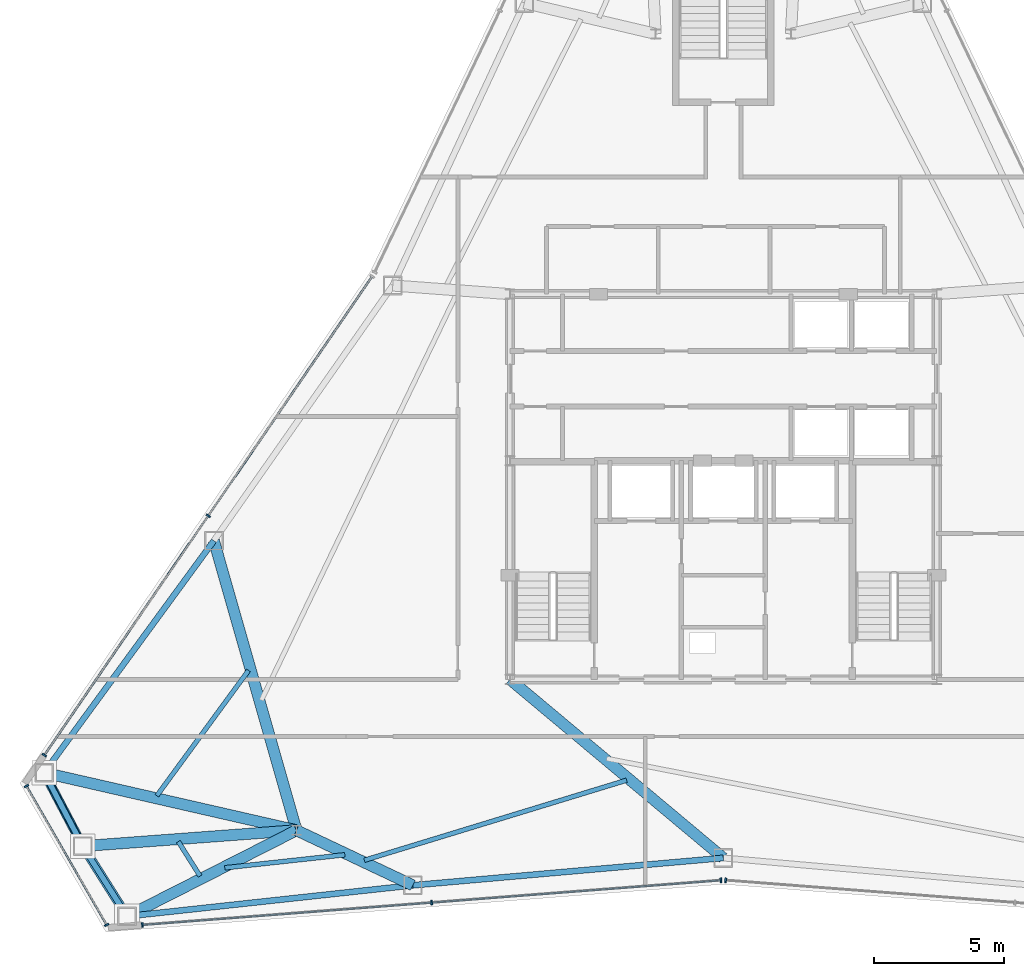
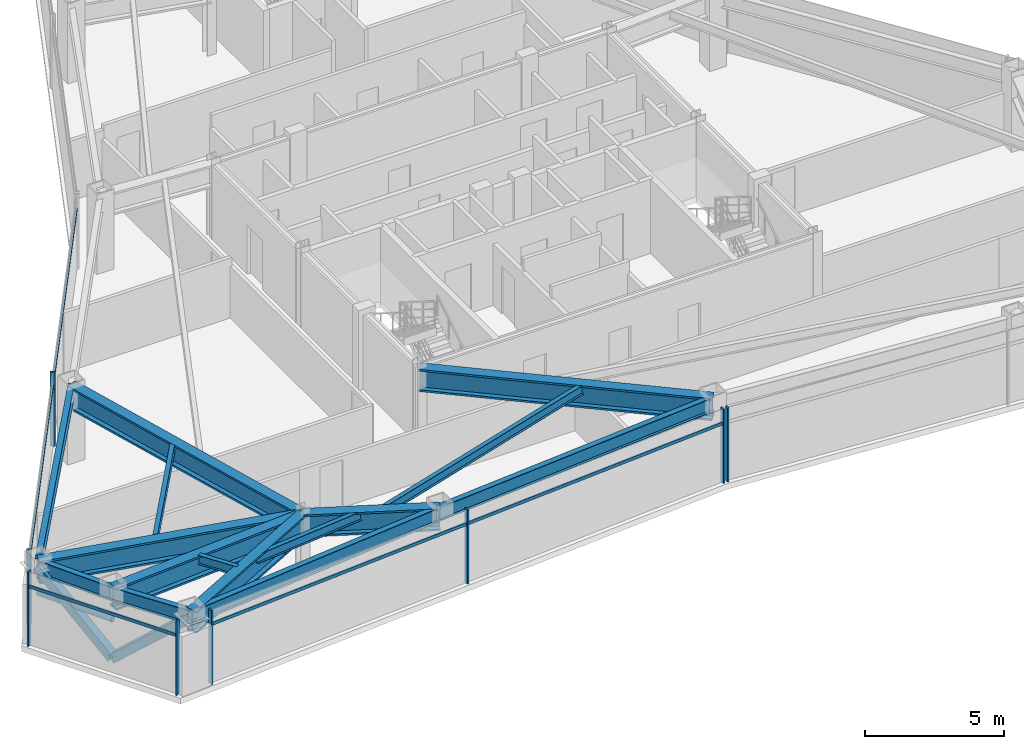
# One storey, part 3 of 12: 15 beams, 14 members, 4 elements without a shape of their own.
"""IFC4 building model written with IfcOpenShell, lengths in metres."""

from ifc_helpers import new_model, si_unit, direction, frame, origin, origin_2d, place, context, subcontext, project, spatial, rectangle, hollow_rectangle, hollow_circle, i_section, extrude, source, transform, mapped, material, layer, layer_set, material_profile, profile_set, type_object, type_shapes, element, aggregate, save


model = new_model("IFC4")

# Units and contexts
model_context = context("Model", 3, precision=1e-05, world=origin(), true_north=direction((0.0, 1.0)))
body_context = subcontext(model_context, "Body", "Model", "MODEL_VIEW")
ifc_project = project(units=[si_unit("LENGTHUNIT", "METRE"), si_unit("AREAUNIT", "SQUARE_METRE"), si_unit("VOLUMEUNIT", "CUBIC_METRE"), si_unit("PLANEANGLEUNIT", "RADIAN"), si_unit("MASSUNIT", "GRAM", prefix="KILO")], contexts=[model_context])

# Site, building, storey
site_placement = place(None, origin())
site = spatial("IfcSite", under=ifc_project, at=site_placement, CompositionType="ELEMENT")
building_placement = place(site_placement, origin())
building = spatial("IfcBuilding", under=site, at=building_placement, Name="Varakhsha Concourse Tower", CompositionType="ELEMENT")
storey_placement = place(building_placement, frame((0.0, 0.0, 222.39990234375)))
storey = spatial("IfcBuildingStorey", under=building, at=storey_placement, Name="L63", CompositionType="ELEMENT", Elevation=222.39990234375)

# Beams
ifc_material_1 = material(Name="Structural Steel ASTM A992 Grade 50", Category="steel")
ifc_material_profile_1 = material_profile(ifc_material_1, i_section(OverallWidth=0.177978515625, OverallDepth=0.406982421875, WebThickness=0.008056640625, FlangeThickness=0.012939453125, at=origin_2d()), Name="W16X40")
ifc_profile_set_1 = profile_set([ifc_material_profile_1], Name="Structural Steel ASTM A992 Grade 50")
beam_type_1 = type_object("IfcBeamType", Name="BM-JST-W16X40", PredefinedType="JOIST", material=ifc_profile_set_1)
beam_1_placement = place(storey_placement, frame((21.75830078125, 16.74169921875, 3.046630859375), z_axis=(-0.590573714618, -0.806983697234, 0.0), x_axis=(0.806983697234, -0.590573714618, 0.0)))
element("IfcBeam", 1, at=beam_1_placement, inside=storey, type_object=beam_type_1, Name="BM-TJST-L63-06", PredefinedType="JOIST", context=body_context, shape_type="SweptSolid", body=[
    extrude(i_section(OverallWidth=0.177978515625, OverallDepth=0.406982421875, WebThickness=0.008056640625, FlangeThickness=0.012939453125, at=origin_2d()), origin(), (0.0, 0.0, 1.0), 5.96435546875),
])
beam_2_placement = place(storey_placement, frame((19.060791015625, 10.166015625, 3.046630859375), z_axis=(0.53380527951, -0.845607428756, 0.0), x_axis=(0.845607428756, 0.53380527951, 0.0)))
element("IfcBeam", 2, at=beam_2_placement, inside=storey, type_object=beam_type_1, Name="BM-TJST-L63-08", PredefinedType="JOIST", context=body_context, shape_type="SweptSolid", body=[
    extrude(i_section(OverallWidth=0.177978515625, OverallDepth=0.406982421875, WebThickness=0.008056640625, FlangeThickness=0.012939453125, at=origin_2d()), origin(), (0.0, 0.0, 1.0), 1.56591796875),
])
beam_3_placement = place(storey_placement, frame((20.845703125, 9.1572265625, 3.046630859375), z_axis=(0.994152816848, 0.107982298336, 0.0), x_axis=(-0.107982298336, 0.994152816848, 0.0)))
element("IfcBeam", 3, at=beam_3_placement, inside=storey, type_object=beam_type_1, Name="BM-TJST-L63-09", PredefinedType="JOIST", context=body_context, shape_type="SweptSolid", body=[
    extrude(i_section(OverallWidth=0.177978515625, OverallDepth=0.406982421875, WebThickness=0.008056640625, FlangeThickness=0.012939453125, at=origin_2d()), origin(), (0.0, 0.0, 1.0), 4.639404296875),
])
beam_4_placement = place(storey_placement, frame((26.208984375, 9.448486328125, 3.046630859375), z_axis=(0.956442357889, 0.291921249716, 0.0), x_axis=(-0.291921249716, 0.956442357889, 0.0)))
element("IfcBeam", 4, at=beam_4_placement, inside=storey, type_object=beam_type_1, Name="BM-TJST-L63-10", PredefinedType="JOIST", context=body_context, shape_type="SweptSolid", body=[
    extrude(i_section(OverallWidth=0.177978515625, OverallDepth=0.406982421875, WebThickness=0.008056640625, FlangeThickness=0.012939453125, at=origin_2d()), origin(), (0.0, 0.0, 1.0), 10.536865234375),
])
ifc_material_profile_2 = material_profile(ifc_material_1, i_section(OverallWidth=0.22900390625, OverallDepth=0.612060546875, WebThickness=0.011962890625, FlangeThickness=0.02001953125, at=origin_2d()), Name="W24X84")
ifc_profile_set_2 = profile_set([ifc_material_profile_2], Name="Structural Steel ASTM A992 Grade 50")
beam_type_2 = type_object("IfcBeamType", Name="BM-SPAN-W24X84", PredefinedType="SPANDREL", material=ifc_profile_set_2)
beam_5_placement = place(storey_placement, frame((20.427001953125, 21.72607421875, 2.944091796875), z_axis=(-0.590553538484, -0.806998462318, 0.0), x_axis=(0.806998462318, -0.590553538484, 0.0)))
element("IfcBeam", 5, at=beam_5_placement, inside=storey, type_object=beam_type_2, Name="BM-SPAN-L63-06", PredefinedType="SPANDREL", context=body_context, shape_type="SweptSolid", body=[
    extrude(i_section(OverallWidth=0.22900390625, OverallDepth=0.612060546875, WebThickness=0.011962890625, FlangeThickness=0.02001953125, at=origin_2d()), origin(), (0.0, 0.0, 1.0), 11.0439453125),
])
for number, where, z_axis, x_axis, name in (
    (6, (13.905029296875, 12.813720703125, 2.944091796875), (0.465522403163, -0.885036096525, 0.0), (0.885036096525, 0.465522403163, 0.0), "BM-SPAN-L63-07"),
    (7, (15.3896484375, 9.9912109375, 2.944091796875), (0.533716468217, -0.845663486, 0.0), (0.845663486, 0.533716468217, 0.0), "BM-SPAN-L63-08"),
):
    element("IfcBeam", number, at=place(storey_placement, frame(where, z_axis=z_axis, x_axis=x_axis)), inside=storey, type_object=beam_type_2, Name=name, PredefinedType="SPANDREL", context=body_context, shape_type="SweptSolid", body=[
        extrude(i_section(OverallWidth=0.22900390625, OverallDepth=0.612060546875, WebThickness=0.011962890625, FlangeThickness=0.02001953125, at=origin_2d()), origin(), (0.0, 0.0, 1.0), 3.189208984375),
    ])
beam_6_placement = place(storey_placement, frame((17.091796875, 7.294189453125, 2.944091796875), z_axis=(0.99415669226, 0.107946612891, 0.0), x_axis=(-0.107946612891, 0.99415669226, 0.0)))
element("IfcBeam", 8, at=beam_6_placement, inside=storey, type_object=beam_type_2, Name="BM-SPAN-L63-09", PredefinedType="SPANDREL", context=body_context, shape_type="SweptSolid", body=[
    extrude(i_section(OverallWidth=0.22900390625, OverallDepth=0.612060546875, WebThickness=0.011962890625, FlangeThickness=0.02001953125, at=origin_2d()), origin(), (0.0, 0.0, 1.0), 11.043701171875),
])
beam_7_placement = place(storey_placement, frame((28.071044921875, 8.486328125, 2.944091796875), z_axis=(0.996146369773, 0.087706385108, 0.0), x_axis=(-0.087706385108, 0.996146369773, 0.0)))
element("IfcBeam", 9, at=beam_7_placement, inside=storey, type_object=beam_type_2, Name="BM-SPAN-L63-10", PredefinedType="SPANDREL", context=body_context, shape_type="SweptSolid", body=[
    extrude(i_section(OverallWidth=0.22900390625, OverallDepth=0.612060546875, WebThickness=0.011962890625, FlangeThickness=0.02001953125, at=origin_2d()), origin(), (0.0, 0.0, 1.0), 11.97509765625),
])
ifc_material_profile_3 = material_profile(ifc_material_1, i_section(OverallWidth=0.427978515625, OverallDepth=0.97509765625, WebThickness=0.050048828125, FlangeThickness=0.0810546875, at=origin_2d()), Name="W36X395")
ifc_profile_set_3 = profile_set([ifc_material_profile_3], Name="Structural Steel ASTM A992 Grade 50")
beam_type_3 = type_object("IfcBeamType", Name="BM-XFER-W36X395", PredefinedType="USERDEFINED", material=ifc_profile_set_3)
beam_8_placement = place(storey_placement, frame((23.60009765625, 10.60009765625, 2.7626953125), z_axis=(-0.274261234585, 0.961655226785, 0.0), x_axis=(-0.961655226785, -0.274261234585, 0.0)))
element("IfcBeam", 10, at=beam_8_placement, inside=storey, type_object=beam_type_3, Name="L63 Radial Floor Girder 06", ObjectType="GIRDER", PredefinedType="USERDEFINED", context=body_context, shape_type="SweptSolid", body=[
    extrude(i_section(OverallWidth=0.427978515625, OverallDepth=0.97509765625, WebThickness=0.050048828125, FlangeThickness=0.0810546875, at=origin_2d()), origin(), (0.0, 0.0, 1.0), 11.569580078125),
])
beam_9_placement = place(storey_placement, frame((23.60009765625, 10.60009765625, 2.7626953125), z_axis=(-0.974910741662, 0.222596149547, 0.0), x_axis=(-0.222596149547, -0.974910741662, 0.0)))
element("IfcBeam", 11, at=beam_9_placement, inside=storey, type_object=beam_type_3, Name="L63 Radial Floor Girder 07", ObjectType="GIRDER", PredefinedType="USERDEFINED", context=body_context, shape_type="SweptSolid", body=[
    extrude(i_section(OverallWidth=0.427978515625, OverallDepth=0.97509765625, WebThickness=0.050048828125, FlangeThickness=0.0810546875, at=origin_2d()), origin(), (0.0, 0.0, 1.0), 9.944580078125),
])
beam_10_placement = place(storey_placement, frame((23.60009765625, 10.60009765625, 2.7626953125), z_axis=(-0.99726143975, -0.073956884649, 0.0), x_axis=(0.073956884649, -0.99726143975, 0.0)))
element("IfcBeam", 12, at=beam_10_placement, inside=storey, type_object=beam_type_3, Name="L63 Radial Floor Girder 08", ObjectType="GIRDER", PredefinedType="USERDEFINED", context=body_context, shape_type="SweptSolid", body=[
    extrude(i_section(OverallWidth=0.427978515625, OverallDepth=0.97509765625, WebThickness=0.050048828125, FlangeThickness=0.0810546875, at=origin_2d()), origin(), (0.0, 0.0, 1.0), 8.23291015625),
])
beam_11_placement = place(storey_placement, frame((23.60009765625, 10.60009765625, 2.7626953125), z_axis=(-0.891573080646, -0.452876850665, 0.0), x_axis=(0.452876850665, -0.891573080646, 0.0)))
element("IfcBeam", 13, at=beam_11_placement, inside=storey, type_object=beam_type_3, Name="L63 Radial Floor Girder 09", ObjectType="GIRDER", PredefinedType="USERDEFINED", context=body_context, shape_type="SweptSolid", body=[
    extrude(i_section(OverallWidth=0.427978515625, OverallDepth=0.97509765625, WebThickness=0.050048828125, FlangeThickness=0.0810546875, at=origin_2d()), origin(), (0.0, 0.0, 1.0), 7.2998046875),
])
beam_12_placement = place(storey_placement, frame((23.60009765625, 10.60009765625, 2.7626953125), z_axis=(0.904054231678, -0.427417765406, 0.0), x_axis=(0.427417765406, 0.904054231678, 0.0)))
element("IfcBeam", 14, at=beam_12_placement, inside=storey, type_object=beam_type_3, Name="L63 Radial Floor Girder 10", ObjectType="GIRDER", PredefinedType="USERDEFINED", context=body_context, shape_type="SweptSolid", body=[
    extrude(i_section(OverallWidth=0.427978515625, OverallDepth=0.97509765625, WebThickness=0.050048828125, FlangeThickness=0.0810546875, at=origin_2d()), origin(), (0.0, 0.0, 1.0), 4.945556640625),
])
beam_13_placement = place(storey_placement, frame((31.800048828125, 16.39990234375, 2.7626953125), z_axis=(0.766840251923, -0.641838007624, 0.0), x_axis=(0.641838007624, 0.766840251923, 0.0)))
element("IfcBeam", 15, at=beam_13_placement, inside=storey, type_object=beam_type_3, Name="L63 Radial Floor Girder 11", ObjectType="GIRDER", PredefinedType="USERDEFINED", context=body_context, shape_type="SweptSolid", body=[
    extrude(i_section(OverallWidth=0.427978515625, OverallDepth=0.97509765625, WebThickness=0.050048828125, FlangeThickness=0.0810546875, at=origin_2d()), origin(), (0.0, 0.0, 1.0), 10.693115234375),
])

# Members
ifc_material_2 = material(Name="Structural Steel ASTM A500 Grade C", Category="steel")
ifc_material_profile_4 = material_profile(ifc_material_2, hollow_rectangle(XDim=0.35009765625, YDim=0.35009765625, WallThickness=0.01611328125, at=origin_2d()), Name="HSS 350x350x16")
ifc_profile_set_4 = profile_set([ifc_material_profile_4], Name="Structural Steel ASTM A500 Grade C")
member_type_1 = type_object("IfcMemberType", Name="MB-TUBE-HSS350", PredefinedType="BRACE", material=ifc_profile_set_4)
shared_shape_1 = source(origin(), body_context, "Body", "SweptSolid", [
    extrude(hollow_rectangle(XDim=0.35009765625, YDim=0.35009765625, WallThickness=0.01611328125, at=origin_2d()), origin(), (0.0, 0.0, 1.0), 4.263916015625),
])
type_shapes(member_type_1, [shared_shape_1])
for number, where, z_axis, x_axis, name in (
    (16, (15.3896484375, 9.9912109375, 0.1201171875), (-0.348191484068, 0.661970358052, 0.663745384529), (-0.885036096525, -0.465522403163, 0.0), "L63 Wind-Corner Tube Brace B03"),
    (17, (15.3896484375, 9.9912109375, 0.1201171875), (0.399202825625, -0.632529204631, 0.66373481851), (0.845663486, 0.533716468217, 0.0), "L63 Wind-Corner Tube Brace B04"),
):
    element("IfcMember", number, at=place(storey_placement, frame(where, z_axis=z_axis, x_axis=x_axis)), inside=storey, type_object=member_type_1, Name=name, PredefinedType="BRACE", context=body_context, shape_type="MappedRepresentation", body=[
        mapped(shared_shape_1, transform((0.0, 0.0, 0.0), scale=1.0)),
    ])
ifc_material_profile_5 = material_profile(ifc_material_2, hollow_circle(Radius=0.136474609375, WallThickness=0.011962890625, at=origin_2d()), Name="CHS 273x12")
ifc_profile_set_5 = profile_set([ifc_material_profile_5], Name="Structural Steel ASTM A500 Grade C")
member_type_2 = type_object("IfcMemberType", Name="MB-WIND-CHS273", PredefinedType="COLLAR", material=ifc_profile_set_5)
shared_shape_2 = source(origin(), body_context, "Body", "SweptSolid", [
    extrude(hollow_circle(Radius=0.136474609375, WallThickness=0.011962890625, at=origin_2d()), origin(), (0.0, 0.0, 1.0), 3.189208984375),
])
type_shapes(member_type_2, [shared_shape_2])
member_1_placement = place(storey_placement, frame((13.905029296875, 12.813720703125, 1.800048828125), z_axis=(0.465522403163, -0.885036096525, 0.0), x_axis=(0.885036096525, 0.465522403163, 0.0)))
element("IfcMember", 18, at=member_1_placement, inside=storey, type_object=member_type_2, Name="L63 Wind-Corner Collar Tie 2", PredefinedType="COLLAR", context=body_context, shape_type="MappedRepresentation", body=[
    mapped(shared_shape_2, transform((0.0, 0.0, 0.0), scale=1.0)),
])

# Curtain wall, members
ifc_material_3 = material(Name="Anodised Bronze Architectural Aluminium AA 6063-T6", Category="aluminium")
ifc_layer = layer(ifc_material_3, 0.199951171875, Name="CW-SYS-05")
ifc_layer_set = layer_set([ifc_layer], Name="Anodised Bronze Architectural Aluminium AA 6063-T6")
curtain_wall_type = type_object("IfcCurtainWallType", Name="CW-SYS-05", PredefinedType="NOTDEFINED", material=ifc_layer_set)
curtain_wall_1_placement = place(storey_placement, origin())
curtain_wall_1 = element("IfcCurtainWall", 19, at=curtain_wall_1_placement, inside=storey, type_object=curtain_wall_type, Name="L63 Crystal Curtain Wall F3", PredefinedType="NOTDEFINED")
ifc_material_profile_6 = material_profile(ifc_material_3, rectangle(XDim=0.06494140625, YDim=0.179931640625, at=origin_2d()), Name="CWM-180X65")
ifc_profile_set_6 = profile_set([ifc_material_profile_6], Name="Anodised Bronze Architectural Aluminium AA 6063-T6")
member_type_3 = type_object("IfcMemberType", Name="CWM-180X65", PredefinedType="MULLION", material=ifc_profile_set_6)
shared_shape_3 = source(origin(), body_context, "Body", "SweptSolid", [
    extrude(rectangle(XDim=0.06494140625, YDim=0.179931640625, at=origin_2d()), origin(), (0.0, 0.0, 1.0), 3.25),
])
type_shapes(member_type_3, [shared_shape_3])
member_2_placement = place(storey_placement, frame((13.912109375, 13.490234375, 0.0), z_axis=(0.0, 0.0, 1.0), x_axis=(0.565172919372, 0.82497246694, 0.0)))
member_2 = element("IfcMember", 20, at=member_2_placement, type_object=member_type_3, Name="CW-L63-F3 Mullion 00", PredefinedType="MULLION", context=body_context, shape_type="MappedRepresentation", body=[
    mapped(shared_shape_3, transform((0.0, 0.0, 0.0), scale=1.0)),
])
member_3_placement = place(storey_placement, frame((20.2119140625, 22.685791015625, 0.0), z_axis=(0.0, 0.0, 1.0), x_axis=(0.565172919372, 0.82497246694, 0.0)))
member_3 = element("IfcMember", 21, at=member_3_placement, type_object=member_type_3, Name="CW-L63-F3 Mullion 01", PredefinedType="MULLION", context=body_context, shape_type="MappedRepresentation", body=[
    mapped(shared_shape_3, transform((0.0, 0.0, 0.0), scale=1.0)),
])

curtain_wall_2_placement = place(storey_placement, origin())
curtain_wall_2 = element("IfcCurtainWall", 22, at=curtain_wall_2_placement, inside=storey, type_object=curtain_wall_type, Name="L63 Chamfer Curtain Wall F4", PredefinedType="NOTDEFINED")
member_4_placement = place(storey_placement, frame((16.30615234375, 6.9638671875, 0.0), z_axis=(0.0, 0.0, 1.0), x_axis=(-0.49999395399, 0.866028894422, 0.0)))
member_4 = element("IfcMember", 23, at=member_4_placement, type_object=member_type_3, Name="CW-L63-F4 Mullion 00", PredefinedType="MULLION", context=body_context, shape_type="MappedRepresentation", body=[
    mapped(shared_shape_3, transform((0.0, 0.0, 0.0), scale=1.0)),
])
member_5_placement = place(storey_placement, frame((13.226318359375, 12.298583984375, 0.0), z_axis=(0.0, 0.0, 1.0), x_axis=(-0.49999395399, 0.866028894422, 0.0)))
member_5 = element("IfcMember", 24, at=member_5_placement, type_object=member_type_3, Name="CW-L63-F4 Mullion 01", PredefinedType="MULLION", context=body_context, shape_type="MappedRepresentation", body=[
    mapped(shared_shape_3, transform((0.0, 0.0, 0.0), scale=1.0)),
])

curtain_wall_3_placement = place(storey_placement, origin())
curtain_wall_3 = element("IfcCurtainWall", 25, at=curtain_wall_3_placement, inside=storey, type_object=curtain_wall_type, Name="L63 Crystal Curtain Wall F5", PredefinedType="NOTDEFINED")
member_6_placement = place(storey_placement, frame((39.907958984375, 8.677978515625, 0.0), z_axis=(0.0, 0.0, 1.0), x_axis=(-0.997034110791, -0.076960911628, 0.0)))
member_6 = element("IfcMember", 26, at=member_6_placement, type_object=member_type_3, Name="CW-L63-F5 Mullion 00", PredefinedType="MULLION", context=body_context, shape_type="MappedRepresentation", body=[
    mapped(shared_shape_3, transform((0.0, 0.0, 0.0), scale=1.0)),
])
member_7_placement = place(storey_placement, frame((28.79443359375, 7.820068359375, 0.0), z_axis=(0.0, 0.0, 1.0), x_axis=(-0.997034110791, -0.076960911628, 0.0)))
member_7 = element("IfcMember", 27, at=member_7_placement, type_object=member_type_3, Name="CW-L63-F5 Mullion 01", PredefinedType="MULLION", context=body_context, shape_type="MappedRepresentation", body=[
    mapped(shared_shape_3, transform((0.0, 0.0, 0.0), scale=1.0)),
])
member_8_placement = place(storey_placement, frame((17.680908203125, 6.962158203125, 0.0), z_axis=(0.0, 0.0, 1.0), x_axis=(-0.997034110791, -0.076960911628, 0.0)))
member_8 = element("IfcMember", 28, at=member_8_placement, type_object=member_type_3, Name="CW-L63-F5 Mullion 02", PredefinedType="MULLION", context=body_context, shape_type="MappedRepresentation", body=[
    mapped(shared_shape_3, transform((0.0, 0.0, 0.0), scale=1.0)),
])

# Curtain wall, member
curtain_wall_4_placement = place(storey_placement, origin())
curtain_wall_4 = element("IfcCurtainWall", 29, at=curtain_wall_4_placement, inside=storey, type_object=curtain_wall_type, Name="L63 Crystal Curtain Wall F6", PredefinedType="NOTDEFINED")
member_9_placement = place(storey_placement, frame((40.092041015625, 8.677978515625, 0.0), z_axis=(0.0, 0.0, 1.0), x_axis=(-0.997034110791, 0.076960911628, 0.0)))
member_9 = element("IfcMember", 30, at=member_9_placement, type_object=member_type_3, Name="CW-L63-F6 Mullion 02", PredefinedType="MULLION", context=body_context, shape_type="MappedRepresentation", body=[
    mapped(shared_shape_3, transform((0.0, 0.0, 0.0), scale=1.0)),
])
aggregate(curtain_wall_4, [member_9])

# Member
ifc_material_profile_7 = material_profile(ifc_material_3, rectangle(XDim=0.06005859375, YDim=0.139892578125, at=origin_2d()), Name="CWT-140X60")
ifc_profile_set_7 = profile_set([ifc_material_profile_7], Name="Anodised Bronze Architectural Aluminium AA 6063-T6")
member_type_4 = type_object("IfcMemberType", Name="CWT-140X60", PredefinedType="USERDEFINED", material=ifc_profile_set_7)
shared_shape_4 = source(origin(), body_context, "Body", "SweptSolid", [
    extrude(rectangle(XDim=0.06005859375, YDim=0.139892578125, at=origin_2d()), origin(), (0.0, 0.0, 1.0), 22.29296875),
])
member_10_placement = place(storey_placement, frame((13.912109375, 13.490234375, 2.60009765625), z_axis=(0.565171817913, 0.824973221527, 0.0), x_axis=(-0.824973221527, 0.565171817913, 0.0)))
member_10 = element("IfcMember", 31, at=member_10_placement, type_object=member_type_4, Name="CW-L63-F3 Transom 01", ObjectType="TRANSOM", PredefinedType="USERDEFINED", context=body_context, shape_type="MappedRepresentation", body=[
    mapped(shared_shape_4, transform((0.0, 0.0, 0.0), scale=1.0)),
])

aggregate(curtain_wall_1, [member_2, member_3, member_10])

shared_shape_5 = source(origin(), body_context, "Body", "SweptSolid", [
    extrude(rectangle(XDim=0.06005859375, YDim=0.139892578125, at=origin_2d()), origin(), (0.0, 0.0, 1.0), 22.293212890625),
])
member_11_placement = place(storey_placement, frame((39.907958984375, 8.677978515625, 2.60009765625), z_axis=(-0.997033705872, -0.076966157212, 0.0), x_axis=(0.076966157212, -0.997033705872, 0.0)))
member_11 = element("IfcMember", 32, at=member_11_placement, type_object=member_type_4, Name="CW-L63-F5 Transom 01", ObjectType="TRANSOM", PredefinedType="USERDEFINED", context=body_context, shape_type="MappedRepresentation", body=[
    mapped(shared_shape_5, transform((0.0, 0.0, 0.0), scale=1.0)),
])

aggregate(curtain_wall_3, [member_6, member_7, member_8, member_11])

shared_shape_6 = source(origin(), body_context, "Body", "SweptSolid", [
    extrude(rectangle(XDim=0.06005859375, YDim=0.139892578125, at=origin_2d()), origin(), (0.0, 0.0, 1.0), 6.159912109375),
])
type_shapes(member_type_4, [shared_shape_4, shared_shape_5, shared_shape_6])
member_12_placement = place(storey_placement, frame((16.30615234375, 6.9638671875, 2.60009765625), z_axis=(-0.49997976489, 0.866037086216, 0.0), x_axis=(-0.866037086216, -0.49997976489, 0.0)))
member_12 = element("IfcMember", 33, at=member_12_placement, type_object=member_type_4, Name="CW-L63-F4 Transom 01", ObjectType="TRANSOM", PredefinedType="USERDEFINED", context=body_context, shape_type="MappedRepresentation", body=[
    mapped(shared_shape_6, transform((0.0, 0.0, 0.0), scale=1.0)),
])

aggregate(curtain_wall_2, [member_4, member_5, member_12])

save(model, "model.ifc")
